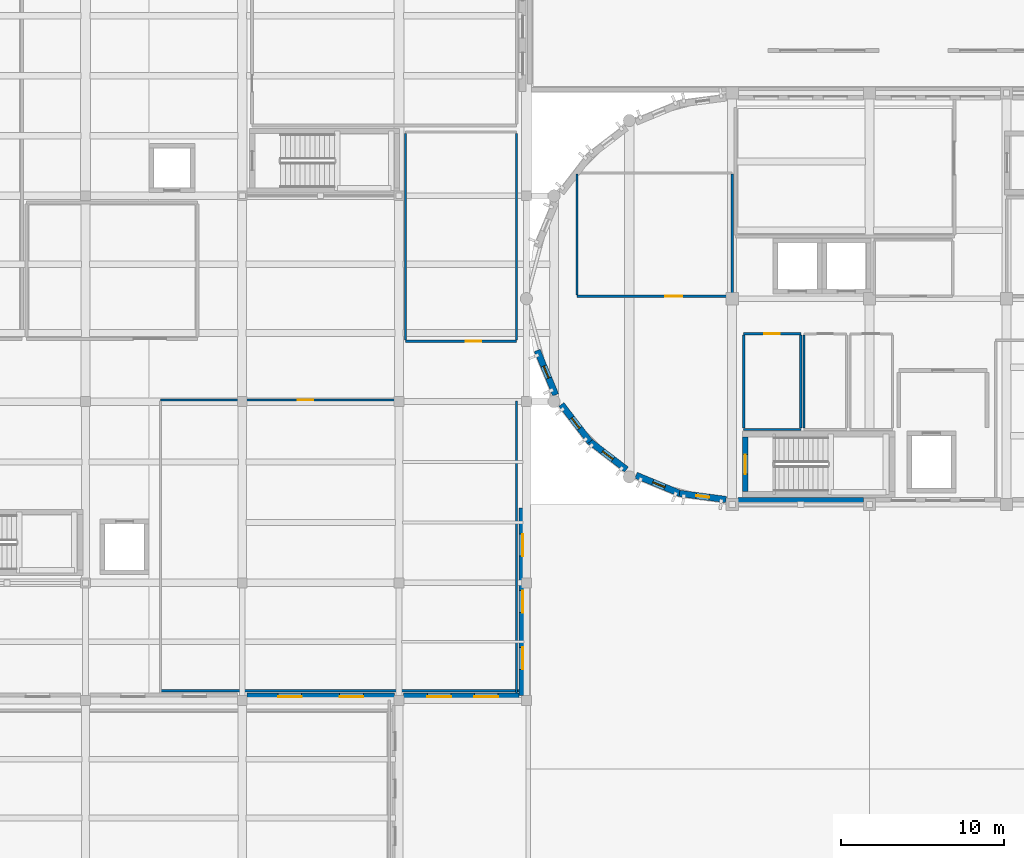
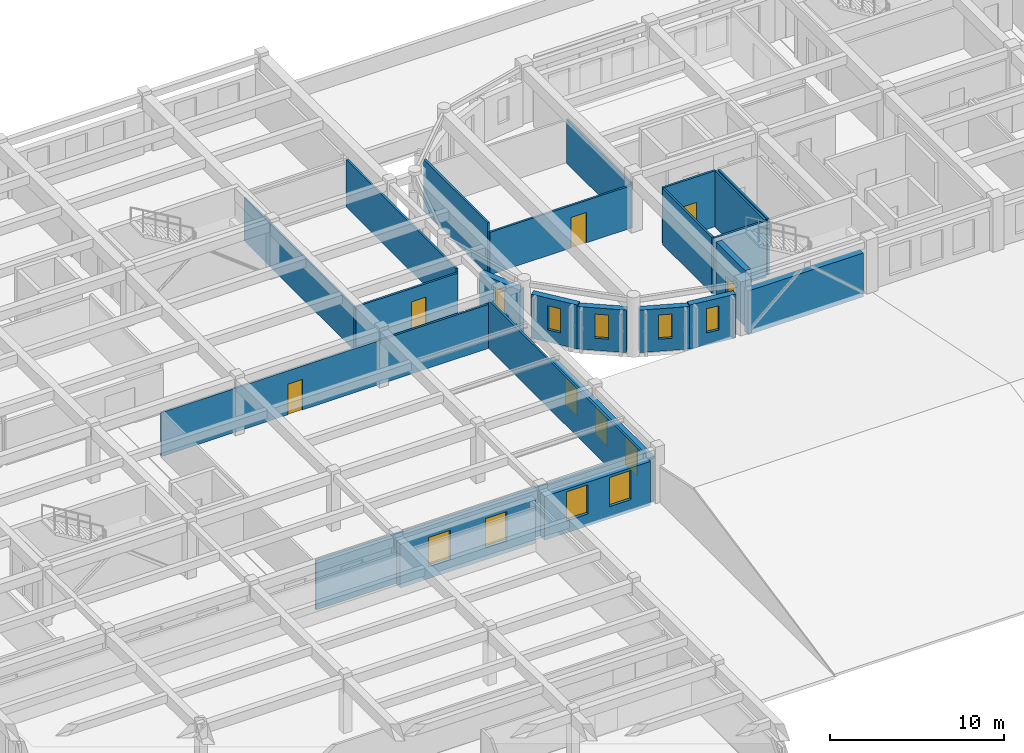
# One storey, part 19 of 46: 24 walls, 12 windows, 5 doors, 17 openings.
"""IFC4 building model written with IfcOpenShell, lengths in metres."""

from ifc_helpers import new_model, si_unit, direction, frame, frame_2d, origin, place, context, subcontext, project, spatial, rectangle, extrude, material, layer, layer_set, type_object, element, fill, save


model = new_model("IFC4")

# Units and contexts
model_context = context("Model", 3, precision=1e-05, world=origin(), true_north=direction((0.0, 1.0)))
body_context = subcontext(model_context, "Body", "Model", "MODEL_VIEW")
ifc_project = project(units=[si_unit("LENGTHUNIT", "METRE"), si_unit("AREAUNIT", "SQUARE_METRE"), si_unit("VOLUMEUNIT", "CUBIC_METRE"), si_unit("PLANEANGLEUNIT", "RADIAN"), si_unit("MASSUNIT", "GRAM", prefix="KILO")], contexts=[model_context])

# Site, building, storey
site_placement = place(None, origin())
site = spatial("IfcSite", under=ifc_project, at=site_placement, CompositionType="ELEMENT")
building_placement = place(site_placement, origin())
building = spatial("IfcBuilding", under=site, at=building_placement, Name="Tarnavel Promenade Courthouse", CompositionType="ELEMENT")
storey_placement = place(building_placement, frame((0.0, 0.0, 14.39990234375)))
storey = spatial("IfcBuildingStorey", under=building, at=storey_placement, Name="L04", CompositionType="ELEMENT", Elevation=14.39990234375)

# Wall, opening, door
ifc_material_1 = material(Name="Concrete C40/50", Category="concrete")
ifc_layer_1 = layer(ifc_material_1, 0.360107421875)
ifc_layer_set_1 = layer_set([ifc_layer_1], Name="Concrete C40/50")
wall_type_1 = type_object("IfcWallType", Name="Concrete C40/50 WL-SHR-360 (360 mm)", PredefinedType="SHEAR", material=ifc_layer_set_1)
wall_1_placement = place(storey_placement, frame((59.60009765625, 79.97998046875, 0.0), z_axis=(0.0, 0.0, 1.0), x_axis=(0.0, 1.0, 0.0)))
wall_1 = element("IfcWall", 1, at=wall_1_placement, inside=storey, type_object=wall_type_1, Name="L04 ST-01 Shear Core West Landing Wall", PredefinedType="SHEAR", context=body_context, shape_type="SweptSolid", body=[
    extrude(rectangle(XDim=3.360107421875, YDim=0.360107421875, at=frame_2d((1.68017578125, 0.0))), origin(), (0.0, 0.0, 1.0), 3.960205078125),
])
opening_1_placement = place(wall_1_placement, frame((1.080078125, 0.0, 0.0)))
opening_1 = element("IfcOpeningElement", 2, at=opening_1_placement, cuts=wall_1, Name="Opening FD-02", PredefinedType="OPENING", context=body_context, shape_type="SweptSolid", body=[
    extrude(rectangle(XDim=1.199951171875, YDim=2.199951171875, at=frame_2d((0.60009765625, 1.10009765625))), frame((0.0, 0.18994140625, 0.0), z_axis=(0.0, -1.0, 0.0), x_axis=(1.0, 0.0, 0.0)), (0.0, 0.0, 1.0), 0.380126953125),
])
ifc_material_2 = material(Name="Steel Fire-Rated Firefighting Stair Door", Category="steel")
door_type_1 = type_object("IfcDoorType", Name="Steel Fire-Rated Firefighting Stair Door (DR-ST-1200x2200)", OperationType="NOTDEFINED", PredefinedType="DOOR", material=ifc_material_2)
door_1_placement = place(opening_1_placement, origin())
door_1 = element("IfcDoor", 3, at=door_1_placement, inside=storey, type_object=door_type_1, Name="L04 ST-01 Protected Exit Stair Door", OperationType="SINGLE_SWING_RIGHT", OverallHeight=2.199951171875, OverallWidth=1.199951171875, PredefinedType="DOOR", context=body_context, shape_type="SweptSolid", body=[
    extrude(rectangle(XDim=1.199951171875, YDim=2.199951171875, at=frame_2d((0.60009765625, 1.10009765625))), frame((0.0, 0.02490234375, 0.0), z_axis=(0.0, -1.0, 0.0), x_axis=(1.0, 0.0, 0.0)), (0.0, 0.0, 1.0), 0.050048828125),
])
fill(opening_1, door_1)

# Wall
ifc_material_3 = material(Name="Cream Brick Insulated Cavity Facade Assembly", Category="masonry")
ifc_layer_2 = layer(ifc_material_3, 0.409912109375)
ifc_layer_set_2 = layer_set([ifc_layer_2], Name="Cream Brick Insulated Cavity Facade Assembly")
wall_type_2 = type_object("IfcWallType", Name="Cream Brick Insulated Cavity Facade Assembly WL-EXT-410 (410 mm)", PredefinedType="STANDARD", material=ifc_layer_set_2)
wall_2_placement = place(storey_placement, frame((66.8330078125, 79.419921875, 0.0), z_axis=(0.0, 0.0, 1.0), x_axis=(-1.0, 0.0, 0.0)))
element("IfcWall", 4, at=wall_2_placement, inside=storey, type_object=wall_type_2, Name="L04 Bar South Limestone Facade 0079", PredefinedType="STANDARD", context=body_context, shape_type="SweptSolid", body=[
    extrude(rectangle(XDim=7.6708984375, YDim=0.409912109375, at=frame_2d((3.83544921875, 0.0))), origin(), (0.0, 0.0, 1.0), 3.090087890625),
])

# Wall, openings, windows
ifc_material_4 = material(Name="Limestone Ashlar Faced Insulated Brick Masonry", Category="masonry")
ifc_layer_3 = layer(ifc_material_4, 0.43994140625)
ifc_layer_set_3 = layer_set([ifc_layer_3], Name="Limestone Ashlar Faced Insulated Brick Masonry")
wall_type_3 = type_object("IfcWallType", Name="Limestone Ashlar Faced Insulated Brick Masonry WL-EXT-440 (440 mm)", PredefinedType="STANDARD", material=ifc_layer_set_3)
wall_3_placement = place(storey_placement, frame((38.10791015625, 67.43994140625, 0.0), z_axis=(0.0, 0.0, 1.0), x_axis=(-1.0, 0.0, 0.0)))
wall_3 = element("IfcWall", 5, at=wall_3_placement, inside=storey, type_object=wall_type_3, Name="L04 Trial Wing Upper South Facade 0311", PredefinedType="STANDARD", context=body_context, shape_type="SweptSolid", body=[
    extrude(rectangle(XDim=9.015869140625, YDim=0.43994140625, at=frame_2d((4.5078125, 0.0))), origin(), (0.0, 0.0, 1.0), 3.080078125),
])
opening_2_placement = place(wall_3_placement, frame((1.89794921875, 0.0, 0.85009765625)))
opening_2 = element("IfcOpeningElement", 6, at=opening_2_placement, cuts=wall_3, Name="Opening W-03", PredefinedType="OPENING", context=body_context, shape_type="SweptSolid", body=[
    extrude(rectangle(XDim=1.449951171875, YDim=2.050048828125, at=frame_2d((0.72509765625, 1.02490234375))), frame((0.0, 0.22998046875, 0.0), z_axis=(0.0, -1.0, 0.0), x_axis=(1.0, 0.0, 0.0)), (0.0, 0.0, 1.0), 0.4599609375),
])
opening_3_placement = place(wall_3_placement, frame((5.66796875, 0.0, 0.85009765625)))
opening_3 = element("IfcOpeningElement", 7, at=opening_3_placement, cuts=wall_3, Name="Opening W-03", PredefinedType="OPENING", context=body_context, shape_type="SweptSolid", body=[
    extrude(rectangle(XDim=1.449951171875, YDim=2.050048828125, at=frame_2d((0.72509765625, 1.02490234375))), frame((0.0, 0.22998046875, 0.0), z_axis=(0.0, -1.0, 0.0), x_axis=(1.0, 0.0, 0.0)), (0.0, 0.0, 1.0), 0.4599609375),
])
ifc_material_5 = material(Name="Triple Low-E Glazed Bronze-Clad Window Assembly")
window_type_1 = type_object("IfcWindowType", Name="Triple-Glazed Bronze-Clad Timber-Aluminium WIN-APP-1450x2050", PartitioningType="SINGLE_PANEL", PredefinedType="WINDOW", material=ifc_material_5)
window_1_placement = place(opening_2_placement, origin())
window_1 = element("IfcWindow", 8, at=window_1_placement, inside=storey, type_object=window_type_1, Name="L04 Exterior Window 0326", OverallHeight=2.050048828125, OverallWidth=1.449951171875, PartitioningType="SINGLE_PANEL", PredefinedType="WINDOW", context=body_context, shape_type="SweptSolid", body=[
    extrude(rectangle(XDim=1.449951171875, YDim=2.050048828125, at=frame_2d((0.72509765625, 1.02490234375))), frame((0.0, 0.030029296875, 0.0), z_axis=(0.0, -1.0, 0.0), x_axis=(1.0, 0.0, 0.0)), (0.0, 0.0, 1.0), 0.06005859375),
])
fill(opening_2, window_1)
window_2_placement = place(opening_3_placement, origin())
window_2 = element("IfcWindow", 9, at=window_2_placement, inside=storey, type_object=window_type_1, Name="L04 Exterior Window 0327", OverallHeight=2.050048828125, OverallWidth=1.449951171875, PartitioningType="SINGLE_PANEL", PredefinedType="WINDOW", context=body_context, shape_type="SweptSolid", body=[
    extrude(rectangle(XDim=1.449951171875, YDim=2.050048828125, at=frame_2d((0.72509765625, 1.02490234375))), frame((0.0, 0.030029296875, 0.0), z_axis=(0.0, -1.0, 0.0), x_axis=(1.0, 0.0, 0.0)), (0.0, 0.0, 1.0), 0.06005859375),
])
fill(opening_3, window_2)

wall_4_placement = place(storey_placement, frame((45.748046875, 67.43994140625, 0.0), z_axis=(0.0, 0.0, 1.0), x_axis=(-1.0, 0.0, 0.0)))
wall_4 = element("IfcWall", 10, at=wall_4_placement, inside=storey, type_object=wall_type_3, Name="L04 Trial Wing Upper South Facade 0312", PredefinedType="STANDARD", context=body_context, shape_type="SweptSolid", body=[
    extrude(rectangle(XDim=7.06103515625, YDim=0.43994140625, at=frame_2d((3.530517578125, 0.0))), origin(), (0.0, 0.0, 1.0), 3.080078125),
])
opening_4_placement = place(wall_4_placement, frame((1.2880859375, 0.0, 0.85009765625)))
opening_4 = element("IfcOpeningElement", 11, at=opening_4_placement, cuts=wall_4, Name="Opening W-03", PredefinedType="OPENING", context=body_context, shape_type="SweptSolid", body=[
    extrude(rectangle(XDim=1.449951171875, YDim=2.050048828125, at=frame_2d((0.72509765625, 1.02490234375))), frame((0.0, 0.22998046875, 0.0), z_axis=(0.0, -1.0, 0.0), x_axis=(1.0, 0.0, 0.0)), (0.0, 0.0, 1.0), 0.4599609375),
])
opening_5_placement = place(wall_4_placement, frame((4.157958984375, 0.0, 0.85009765625)))
opening_5 = element("IfcOpeningElement", 12, at=opening_5_placement, cuts=wall_4, Name="Opening W-03", PredefinedType="OPENING", context=body_context, shape_type="SweptSolid", body=[
    extrude(rectangle(XDim=1.449951171875, YDim=2.050048828125, at=frame_2d((0.72509765625, 1.02490234375))), frame((0.0, 0.22998046875, 0.0), z_axis=(0.0, -1.0, 0.0), x_axis=(1.0, 0.0, 0.0)), (0.0, 0.0, 1.0), 0.4599609375),
])
window_3_placement = place(opening_4_placement, origin())
window_3 = element("IfcWindow", 13, at=window_3_placement, inside=storey, type_object=window_type_1, Name="L04 Exterior Window 0328", OverallHeight=2.050048828125, OverallWidth=1.449951171875, PartitioningType="SINGLE_PANEL", PredefinedType="WINDOW", context=body_context, shape_type="SweptSolid", body=[
    extrude(rectangle(XDim=1.449951171875, YDim=2.050048828125, at=frame_2d((0.72509765625, 1.02490234375))), frame((0.0, 0.030029296875, 0.0), z_axis=(0.0, -1.0, 0.0), x_axis=(1.0, 0.0, 0.0)), (0.0, 0.0, 1.0), 0.06005859375),
])
fill(opening_4, window_3)
window_4_placement = place(opening_5_placement, origin())
window_4 = element("IfcWindow", 14, at=window_4_placement, inside=storey, type_object=window_type_1, Name="L04 Exterior Window 0329", OverallHeight=2.050048828125, OverallWidth=1.449951171875, PartitioningType="SINGLE_PANEL", PredefinedType="WINDOW", context=body_context, shape_type="SweptSolid", body=[
    extrude(rectangle(XDim=1.449951171875, YDim=2.050048828125, at=frame_2d((0.72509765625, 1.02490234375))), frame((0.0, 0.030029296875, 0.0), z_axis=(0.0, -1.0, 0.0), x_axis=(1.0, 0.0, 0.0)), (0.0, 0.0, 1.0), 0.06005859375),
])
fill(opening_5, window_4)

wall_5_placement = place(storey_placement, frame((45.9599609375, 67.5, 0.0), z_axis=(0.0, 0.0, 1.0), x_axis=(0.0, 1.0, 0.0)))
wall_5 = element("IfcWall", 15, at=wall_5_placement, inside=storey, type_object=wall_type_3, Name="L04 L04 Trial Wing South-East Stepback Wall 0445", PredefinedType="STANDARD", context=body_context, shape_type="SweptSolid", body=[
    extrude(rectangle(XDim=11.5, YDim=0.43994140625, at=frame_2d((5.75, 0.0))), origin(), (0.0, 0.0, 1.0), 3.14013671875),
])
opening_6_placement = place(wall_5_placement, frame((1.6083984375, 0.0, 0.85009765625)))
opening_6 = element("IfcOpeningElement", 16, at=opening_6_placement, cuts=wall_5, Name="Opening W-04", PredefinedType="OPENING", context=body_context, shape_type="SweptSolid", body=[
    extrude(rectangle(XDim=1.35009765625, YDim=1.949951171875, at=frame_2d((0.675048828125, 0.97509765625))), frame((0.0, 0.22998046875, 0.0), z_axis=(0.0, -1.0, 0.0), x_axis=(1.0, 0.0, 0.0)), (0.0, 0.0, 1.0), 0.4599609375),
])
opening_7_placement = place(wall_5_placement, frame((5.074951171875, 0.0, 0.85009765625)))
opening_7 = element("IfcOpeningElement", 17, at=opening_7_placement, cuts=wall_5, Name="Opening W-04", PredefinedType="OPENING", context=body_context, shape_type="SweptSolid", body=[
    extrude(rectangle(XDim=1.35009765625, YDim=1.949951171875, at=frame_2d((0.675048828125, 0.97509765625))), frame((0.0, 0.22998046875, 0.0), z_axis=(0.0, -1.0, 0.0), x_axis=(1.0, 0.0, 0.0)), (0.0, 0.0, 1.0), 0.4599609375),
])
opening_8_placement = place(wall_5_placement, frame((8.541748046875, 0.0, 0.85009765625)))
opening_8 = element("IfcOpeningElement", 18, at=opening_8_placement, cuts=wall_5, Name="Opening W-04", PredefinedType="OPENING", context=body_context, shape_type="SweptSolid", body=[
    extrude(rectangle(XDim=1.35009765625, YDim=1.949951171875, at=frame_2d((0.675048828125, 0.97509765625))), frame((0.0, 0.22998046875, 0.0), z_axis=(0.0, -1.0, 0.0), x_axis=(1.0, 0.0, 0.0)), (0.0, 0.0, 1.0), 0.4599609375),
])
window_type_2 = type_object("IfcWindowType", Name="Triple-Glazed Bronze-Clad Timber-Aluminium WIN-CHM-1350x1950", PartitioningType="SINGLE_PANEL", PredefinedType="WINDOW", material=ifc_material_5)
window_5_placement = place(opening_6_placement, origin())
window_5 = element("IfcWindow", 19, at=window_5_placement, inside=storey, type_object=window_type_2, Name="L04 Exterior Window 0563", OverallHeight=1.949951171875, OverallWidth=1.35009765625, PartitioningType="SINGLE_PANEL", PredefinedType="WINDOW", context=body_context, shape_type="SweptSolid", body=[
    extrude(rectangle(XDim=1.35009765625, YDim=1.949951171875, at=frame_2d((0.675048828125, 0.97509765625))), frame((0.0, 0.030029296875, 0.0), z_axis=(0.0, -1.0, 0.0), x_axis=(1.0, 0.0, 0.0)), (0.0, 0.0, 1.0), 0.06005859375),
])
fill(opening_6, window_5)
window_6_placement = place(opening_7_placement, origin())
window_6 = element("IfcWindow", 20, at=window_6_placement, inside=storey, type_object=window_type_2, Name="L04 Exterior Window 0564", OverallHeight=1.949951171875, OverallWidth=1.35009765625, PartitioningType="SINGLE_PANEL", PredefinedType="WINDOW", context=body_context, shape_type="SweptSolid", body=[
    extrude(rectangle(XDim=1.35009765625, YDim=1.949951171875, at=frame_2d((0.675048828125, 0.97509765625))), frame((0.0, 0.030029296875, 0.0), z_axis=(0.0, -1.0, 0.0), x_axis=(1.0, 0.0, 0.0)), (0.0, 0.0, 1.0), 0.06005859375),
])
fill(opening_7, window_6)
window_7_placement = place(opening_8_placement, origin())
window_7 = element("IfcWindow", 21, at=window_7_placement, inside=storey, type_object=window_type_2, Name="L04 Exterior Window 0565", OverallHeight=1.949951171875, OverallWidth=1.35009765625, PartitioningType="SINGLE_PANEL", PredefinedType="WINDOW", context=body_context, shape_type="SweptSolid", body=[
    extrude(rectangle(XDim=1.35009765625, YDim=1.949951171875, at=frame_2d((0.675048828125, 0.97509765625))), frame((0.0, 0.030029296875, 0.0), z_axis=(0.0, -1.0, 0.0), x_axis=(1.0, 0.0, 0.0)), (0.0, 0.0, 1.0), 0.06005859375),
])
fill(opening_8, window_7)

# Wall, opening, door
ifc_material_6 = material(Name="Metal-Stud Acoustic Gypsum Partition", Category="gypsum")
ifc_layer_4 = layer(ifc_material_6, 0.135009765625)
ifc_layer_set_4 = layer_set([ifc_layer_4], Name="Metal-Stud Acoustic Gypsum Partition")
wall_type_4 = type_object("IfcWallType", Name="Metal-Stud Acoustic Gypsum Partition WL-OFF-135 (135 mm)", PredefinedType="PARTITIONING", material=ifc_layer_set_4)
wall_6_placement = place(storey_placement, frame((59.5, 89.64990234375, 0.0), z_axis=(0.0, 0.0, 1.0), x_axis=(1.0, 0.0, 0.0)))
wall_6 = element("IfcWall", 22, at=wall_6_placement, inside=storey, type_object=wall_type_4, Name="L04 L04 Bailiffs' Duty Room Partition 0578", PredefinedType="PARTITIONING", context=body_context, shape_type="SweptSolid", body=[
    extrude(rectangle(XDim=3.5, YDim=0.135009765625, at=frame_2d((1.75, 0.0))), origin(), (0.0, 0.0, 1.0), 3.945068359375),
])
opening_9_placement = place(wall_6_placement, frame((1.27490234375, 0.0, 0.0)))
opening_9 = element("IfcOpeningElement", 23, at=opening_9_placement, cuts=wall_6, Name="Opening ID-06", PredefinedType="OPENING", context=body_context, shape_type="SweptSolid", body=[
    extrude(rectangle(XDim=0.949951171875, YDim=2.14990234375, at=frame_2d((0.47509765625, 1.074951171875))), frame((0.0, 0.077392578125, 0.0), z_axis=(0.0, -1.0, 0.0), x_axis=(1.0, 0.0, 0.0)), (0.0, 0.0, 1.0), 0.155029296875),
])
ifc_material_7 = material(Name="Acoustic Timber Veneer Office Door", Category="wood")
door_type_2 = type_object("IfcDoorType", Name="Acoustic Timber Veneer Office Door (DR-OFF-0950x2150)", OperationType="NOTDEFINED", PredefinedType="DOOR", material=ifc_material_7)
door_2_placement = place(opening_9_placement, origin())
door_2 = element("IfcDoor", 24, at=door_2_placement, inside=storey, type_object=door_type_2, Name="L04 L04 Bailiffs' Duty Room Door 0165", OperationType="SINGLE_SWING_RIGHT", OverallHeight=2.14990234375, OverallWidth=0.949951171875, PredefinedType="DOOR", context=body_context, shape_type="SweptSolid", body=[
    extrude(rectangle(XDim=0.949951171875, YDim=2.14990234375, at=frame_2d((0.47509765625, 1.074951171875))), frame((0.0, 0.02490234375, 0.0), z_axis=(0.0, -1.0, 0.0), x_axis=(1.0, 0.0, 0.0)), (0.0, 0.0, 1.0), 0.050048828125),
])
fill(opening_9, door_2)

# Walls
wall_7_placement = place(storey_placement, frame((63.0, 83.800048828125, 0.0), z_axis=(0.0, 0.0, 1.0), x_axis=(-1.0, 0.0, 0.0)))
element("IfcWall", 25, at=wall_7_placement, inside=storey, type_object=wall_type_4, Name="L04 L04 Bailiffs' Duty Room Partition 0579", PredefinedType="PARTITIONING", context=body_context, shape_type="SweptSolid", body=[
    extrude(rectangle(XDim=3.5, YDim=0.135009765625, at=frame_2d((1.75, 0.0))), origin(), (0.0, 0.0, 1.0), 3.945068359375),
])
for number, where, z_axis, x_axis, name in (
    (26, (59.5, 83.87744140625, 0.0), (0.0, 0.0, 1.0), (0.0, 1.0, 0.0), "L04 L04 Bailiffs' Duty Room Partition 0580"),
    (27, (63.0, 89.572509765625, 0.0), (0.0, 0.0, 1.0), (0.0, -1.0, 0.0), "L04 L04 Bailiffs' Duty Room Partition 0581"),
):
    element("IfcWall", number, at=place(storey_placement, frame(where, z_axis=z_axis, x_axis=x_axis)), inside=storey, type_object=wall_type_4, Name=name, PredefinedType="PARTITIONING", context=body_context, shape_type="SweptSolid", body=[
        extrude(rectangle(XDim=5.695068359375, YDim=0.135009765625, at=frame_2d((2.84765625, 0.0))), origin(), (0.0, 0.0, 1.0), 3.945068359375),
    ])

# Wall, opening, door
wall_8_placement = place(storey_placement, frame((45.60009765625, 89.199951171875, 0.0), z_axis=(0.0, 0.0, 1.0), x_axis=(-1.0, 0.0, 0.0)))
wall_8 = element("IfcWall", 28, at=wall_8_placement, inside=storey, type_object=wall_type_4, Name="L04 L04 Witness Waiting Room Partition 0596", PredefinedType="PARTITIONING", context=body_context, shape_type="SweptSolid", body=[
    extrude(rectangle(XDim=6.800048828125, YDim=0.135009765625, at=frame_2d((3.39990234375, 0.0))), origin(), (0.0, 0.0, 1.0), 3.090087890625),
])
opening_10_placement = place(wall_8_placement, frame((2.152587890625, 0.0, 0.0)))
opening_10 = element("IfcOpeningElement", 29, at=opening_10_placement, cuts=wall_8, Name="Opening ID-06", PredefinedType="OPENING", context=body_context, shape_type="SweptSolid", body=[
    extrude(rectangle(XDim=0.949951171875, YDim=2.14990234375, at=frame_2d((0.47509765625, 1.074951171875))), frame((0.0, 0.077392578125, 0.0), z_axis=(0.0, -1.0, 0.0), x_axis=(1.0, 0.0, 0.0)), (0.0, 0.0, 1.0), 0.155029296875),
])
door_3_placement = place(opening_10_placement, origin())
door_3 = element("IfcDoor", 30, at=door_3_placement, inside=storey, type_object=door_type_2, Name="L04 L04 Witness Waiting Room Door 0170", OperationType="SINGLE_SWING_LEFT", OverallHeight=2.14990234375, OverallWidth=0.949951171875, PredefinedType="DOOR", context=body_context, shape_type="SweptSolid", body=[
    extrude(rectangle(XDim=0.949951171875, YDim=2.14990234375, at=frame_2d((0.47509765625, 1.074951171875))), frame((0.0, 0.02490234375, 0.0), z_axis=(0.0, -1.0, 0.0), x_axis=(1.0, 0.0, 0.0)), (0.0, 0.0, 1.0), 0.050048828125),
])
fill(opening_10, door_3)

# Walls
wall_9_placement = place(storey_placement, frame((38.800048828125, 89.277587890625, 0.0), z_axis=(0.0, 0.0, 1.0), x_axis=(0.0, 1.0, 0.0)))
element("IfcWall", 31, at=wall_9_placement, inside=storey, type_object=wall_type_4, Name="L04 L04 Witness Waiting Room Partition 0597", PredefinedType="PARTITIONING", context=body_context, shape_type="SweptSolid", body=[
    extrude(rectangle(XDim=12.64501953125, YDim=0.135009765625, at=frame_2d((6.322509765625, 0.0))), origin(), (0.0, 0.0, 1.0), 3.0400390625),
])
wall_10_placement = place(storey_placement, frame((45.60009765625, 101.922607421875, 0.0), z_axis=(0.0, 0.0, 1.0), x_axis=(0.0, -1.0, 0.0)))
element("IfcWall", 32, at=wall_10_placement, inside=storey, type_object=wall_type_4, Name="L04 L04 Witness Waiting Room Partition 0598", PredefinedType="PARTITIONING", context=body_context, shape_type="SweptSolid", body=[
    extrude(rectangle(XDim=12.64501953125, YDim=0.135009765625, at=frame_2d((6.322509765625, 0.0))), origin(), (0.0, 0.0, 1.0), 3.340087890625),
])

# Wall, opening, door
wall_11_placement = place(storey_placement, frame((23.800048828125, 85.60009765625, 0.0), z_axis=(0.0, 0.0, 1.0), x_axis=(1.0, 0.0, 0.0)))
wall_11 = element("IfcWall", 33, at=wall_11_placement, inside=storey, type_object=wall_type_4, Name="L04 Probation Officers' Suite Partition 0602", PredefinedType="PARTITIONING", context=body_context, shape_type="SweptSolid", body=[
    extrude(rectangle(XDim=21.800048828125, YDim=0.135009765625, at=frame_2d((10.89990234375, 0.0))), origin(), (0.0, 0.0, 1.0), 3.090087890625),
])
opening_11_placement = place(wall_11_placement, frame((8.409912109375, 0.0, 0.0)))
opening_11 = element("IfcOpeningElement", 34, at=opening_11_placement, cuts=wall_11, Name="Opening ID-06", PredefinedType="OPENING", context=body_context, shape_type="SweptSolid", body=[
    extrude(rectangle(XDim=0.949951171875, YDim=2.14990234375, at=frame_2d((0.47509765625, 1.074951171875))), frame((0.0, 0.077392578125, 0.0), z_axis=(0.0, -1.0, 0.0), x_axis=(1.0, 0.0, 0.0)), (0.0, 0.0, 1.0), 0.155029296875),
])
door_4_placement = place(opening_11_placement, origin())
door_4 = element("IfcDoor", 35, at=door_4_placement, inside=storey, type_object=door_type_2, Name="L04 Probation Officers' Suite Door 0172", OperationType="SINGLE_SWING_RIGHT", OverallHeight=2.14990234375, OverallWidth=0.949951171875, PredefinedType="DOOR", context=body_context, shape_type="SweptSolid", body=[
    extrude(rectangle(XDim=0.949951171875, YDim=2.14990234375, at=frame_2d((0.47509765625, 1.074951171875))), frame((0.0, 0.02490234375, 0.0), z_axis=(0.0, -1.0, 0.0), x_axis=(1.0, 0.0, 0.0)), (0.0, 0.0, 1.0), 0.050048828125),
])
fill(opening_11, door_4)

# Walls
wall_12_placement = place(storey_placement, frame((45.74609375, 67.800048828125, 0.0), z_axis=(0.0, 0.0, 1.0), x_axis=(-1.0, 0.0, 0.0)))
element("IfcWall", 36, at=wall_12_placement, inside=storey, type_object=wall_type_4, Name="L04 Probation Officers' Suite Partition 0603", PredefinedType="PARTITIONING", context=body_context, shape_type="SweptSolid", body=[
    extrude(rectangle(XDim=21.946044921875, YDim=0.135009765625, at=frame_2d((10.97314453125, 0.0))), origin(), (0.0, 0.0, 1.0), 3.489990234375),
])
wall_13_placement = place(storey_placement, frame((45.60009765625, 85.5224609375, 0.0), z_axis=(0.0, 0.0, 1.0), x_axis=(0.0, -1.0, 0.0)))
element("IfcWall", 37, at=wall_13_placement, inside=storey, type_object=wall_type_4, Name="L04 Probation Officers' Suite Partition 0605", PredefinedType="PARTITIONING", context=body_context, shape_type="SweptSolid", body=[
    extrude(rectangle(XDim=17.868408203125, YDim=0.135009765625, at=frame_2d((8.93408203125, 0.0))), origin(), (0.0, 0.0, 1.0), 3.39013671875),
])

# Wall, opening, door
wall_14_placement = place(storey_placement, frame((58.800048828125, 91.949951171875, 0.0), z_axis=(0.0, 0.0, 1.0), x_axis=(-1.0, 0.0, 0.0)))
wall_14 = element("IfcWall", 38, at=wall_14_placement, inside=storey, type_object=wall_type_4, Name="L04 L04 West Drum Rotunda Meeting North Partition 0645", PredefinedType="PARTITIONING", context=body_context, shape_type="SweptSolid", body=[
    extrude(rectangle(XDim=9.5, YDim=0.135009765625, at=frame_2d((4.75, 0.0))), origin(), (0.0, 0.0, 1.0), 2.989990234375),
])
opening_12_placement = place(wall_14_placement, frame((3.072998046875, 0.0, 0.0)))
opening_12 = element("IfcOpeningElement", 39, at=opening_12_placement, cuts=wall_14, Name="Opening ID-07", PredefinedType="OPENING", context=body_context, shape_type="SweptSolid", body=[
    extrude(rectangle(XDim=1.02001953125, YDim=2.14990234375, at=frame_2d((0.510009765625, 1.074951171875))), frame((0.0, 0.077392578125, 0.0), z_axis=(0.0, -1.0, 0.0), x_axis=(1.0, 0.0, 0.0)), (0.0, 0.0, 1.0), 0.155029296875),
])
ifc_material_8 = material(Name="Acoustic Timber Seminar Room Door", Category="wood")
door_type_3 = type_object("IfcDoorType", Name="Acoustic Timber Seminar Room Door (DR-MTG-1020x2150)", OperationType="NOTDEFINED", PredefinedType="DOOR", material=ifc_material_8)
door_5_placement = place(opening_12_placement, origin())
door_5 = element("IfcDoor", 40, at=door_5_placement, inside=storey, type_object=door_type_3, Name="L04 L04 West Drum Rotunda Meeting North Door 0185", OperationType="SINGLE_SWING_LEFT", OverallHeight=2.14990234375, OverallWidth=1.02001953125, PredefinedType="DOOR", context=body_context, shape_type="SweptSolid", body=[
    extrude(rectangle(XDim=1.02001953125, YDim=2.14990234375, at=frame_2d((0.510009765625, 1.074951171875))), frame((0.0, 0.02490234375, 0.0), z_axis=(0.0, -1.0, 0.0), x_axis=(1.0, 0.0, 0.0)), (0.0, 0.0, 1.0), 0.050048828125),
])
fill(opening_12, door_5)

# Walls
wall_15_placement = place(storey_placement, frame((49.300048828125, 92.027587890625, 0.0), z_axis=(0.0, 0.0, 1.0), x_axis=(0.0, 1.0, 0.0)))
element("IfcWall", 41, at=wall_15_placement, inside=storey, type_object=wall_type_4, Name="L04 L04 West Drum Rotunda Meeting North Partition 0646", PredefinedType="PARTITIONING", context=body_context, shape_type="SweptSolid", body=[
    extrude(rectangle(XDim=7.39501953125, YDim=0.135009765625, at=frame_2d((3.697509765625, 0.0))), origin(), (0.0, 0.0, 1.0), 3.590087890625),
])
wall_16_placement = place(storey_placement, frame((58.800048828125, 99.422607421875, 0.0), z_axis=(0.0, 0.0, 1.0), x_axis=(0.0, -1.0, 0.0)))
element("IfcWall", 42, at=wall_16_placement, inside=storey, type_object=wall_type_4, Name="L04 L04 West Drum Rotunda Meeting North Partition 0647", PredefinedType="PARTITIONING", context=body_context, shape_type="SweptSolid", body=[
    extrude(rectangle(XDim=7.39501953125, YDim=0.135009765625, at=frame_2d((3.697509765625, 0.0))), origin(), (0.0, 0.0, 1.0), 3.090087890625),
])
ifc_material_9 = material(Name="Moisture-Resistant Tile-Backed Stud Partition", Category="gypsum")
ifc_layer_5 = layer(ifc_material_9, 0.125)
ifc_layer_set_5 = layer_set([ifc_layer_5], Name="Moisture-Resistant Tile-Backed Stud Partition")
wall_type_5 = type_object("IfcWallType", Name="Moisture-Resistant Tile-Backed Stud Partition WL-WET-125 (125 mm)", PredefinedType="PARTITIONING", material=ifc_layer_set_5)
wall_17_placement = place(storey_placement, frame((63.199951171875, 83.87255859375, 0.0), z_axis=(0.0, 0.0, 1.0), x_axis=(0.0, 1.0, 0.0)))
element("IfcWall", 43, at=wall_17_placement, inside=storey, type_object=wall_type_5, Name="L04 Public WC Partition 0564", PredefinedType="PARTITIONING", context=body_context, shape_type="SweptSolid", body=[
    extrude(rectangle(XDim=5.704833984375, YDim=0.125, at=frame_2d((2.8525390625, 0.0))), origin(), (0.0, 0.0, 1.0), 3.945068359375),
])

# Wall, opening, window
ifc_material_10 = material(Name="Patinated Copper-Bronze Insulated Drum Wall Assembly", Category="masonry")
ifc_layer_6 = layer(ifc_material_10, 0.39501953125)
ifc_layer_set_6 = layer_set([ifc_layer_6], Name="Patinated Copper-Bronze Insulated Drum Wall Assembly")
wall_type_6 = type_object("IfcWallType", Name="Patinated Copper-Bronze Insulated Drum Wall Assembly WL-DRUM-395 (395 mm)", PredefinedType="ELEMENTEDWALL", material=ifc_layer_set_6)
wall_18_placement = place(storey_placement, frame((46.8603515625, 88.634521484375, 0.0), z_axis=(0.0, 0.0, 1.0), x_axis=(0.382632249505, -0.923900731485, 0.0)))
wall_18 = element("IfcWall", 44, at=wall_18_placement, inside=storey, type_object=wall_type_6, Name="L04 W Copper Drum Chord Wall 08 0089", PredefinedType="ELEMENTEDWALL", context=body_context, shape_type="SweptSolid", body=[
    extrude(rectangle(XDim=2.947265625, YDim=0.39501953125, at=frame_2d((1.4736328125, 0.0))), origin(), (0.0, 0.0, 1.0), 3.090087890625),
])
opening_13_placement = place(wall_18_placement, frame((1.037109375, 0.0, 0.85009765625)))
opening_13 = element("IfcOpeningElement", 45, at=opening_13_placement, cuts=wall_18, Name="Opening W-09", PredefinedType="OPENING", context=body_context, shape_type="SweptSolid", body=[
    extrude(rectangle(XDim=0.800048828125, YDim=1.699951171875, at=frame_2d((0.39990234375, 0.85009765625))), frame((0.0, 0.20751953125, 0.0), z_axis=(0.0, -1.0, 0.0), x_axis=(1.0, 0.0, 0.0)), (0.0, 0.0, 1.0), 0.4150390625),
])
window_type_3 = type_object("IfcWindowType", Name="Triple-Glazed Bronze-Clad Timber-Aluminium WIN-DRM-0800x1700", PartitioningType="SINGLE_PANEL", PredefinedType="WINDOW", material=ifc_material_5)
window_8_placement = place(opening_13_placement, origin())
window_8 = element("IfcWindow", 46, at=window_8_placement, inside=storey, type_object=window_type_3, Name="L04 Exterior Window 0069", OverallHeight=1.699951171875, OverallWidth=0.800048828125, PartitioningType="SINGLE_PANEL", PredefinedType="WINDOW", context=body_context, shape_type="SweptSolid", body=[
    extrude(rectangle(XDim=0.800048828125, YDim=1.699951171875, at=frame_2d((0.39990234375, 0.85009765625))), frame((0.0, 0.030029296875, 0.0), z_axis=(0.0, -1.0, 0.0), x_axis=(1.0, 0.0, 0.0)), (0.0, 0.0, 1.0), 0.06005859375),
])
fill(opening_13, window_8)

wall_19_placement = place(storey_placement, frame((48.339111328125, 85.322998046875, 0.0), z_axis=(0.0, 0.0, 1.0), x_axis=(0.608729278603, -0.79337800913, 0.0)))
wall_19 = element("IfcWall", 47, at=wall_19_placement, inside=storey, type_object=wall_type_6, Name="L04 W Copper Drum Chord Wall 09 0090", PredefinedType="ELEMENTEDWALL", context=body_context, shape_type="SweptSolid", body=[
    extrude(rectangle(XDim=2.87451171875, YDim=0.39501953125, at=frame_2d((1.437255859375, 0.0))), origin(), (0.0, 0.0, 1.0), 3.090087890625),
])
opening_14_placement = place(wall_19_placement, frame((1.037109375, 0.0, 0.85009765625)))
opening_14 = element("IfcOpeningElement", 48, at=opening_14_placement, cuts=wall_19, Name="Opening W-09", PredefinedType="OPENING", context=body_context, shape_type="SweptSolid", body=[
    extrude(rectangle(XDim=0.800048828125, YDim=1.699951171875, at=frame_2d((0.39990234375, 0.85009765625))), frame((0.0, 0.20751953125, 0.0), z_axis=(0.0, -1.0, 0.0), x_axis=(1.0, 0.0, 0.0)), (0.0, 0.0, 1.0), 0.4150390625),
])
window_9_placement = place(opening_14_placement, origin())
window_9 = element("IfcWindow", 49, at=window_9_placement, inside=storey, type_object=window_type_3, Name="L04 Exterior Window 0070", OverallHeight=1.699951171875, OverallWidth=0.800048828125, PartitioningType="SINGLE_PANEL", PredefinedType="WINDOW", context=body_context, shape_type="SweptSolid", body=[
    extrude(rectangle(XDim=0.800048828125, YDim=1.699951171875, at=frame_2d((0.39990234375, 0.85009765625))), frame((0.0, 0.030029296875, 0.0), z_axis=(0.0, -1.0, 0.0), x_axis=(1.0, 0.0, 0.0)), (0.0, 0.0, 1.0), 0.06005859375),
])
fill(opening_14, window_9)

wall_20_placement = place(storey_placement, frame((50.042724609375, 83.0888671875, 0.0), z_axis=(0.0, 0.0, 1.0), x_axis=(0.793346533164, -0.608770300127, 0.0)))
wall_20 = element("IfcWall", 50, at=wall_20_placement, inside=storey, type_object=wall_type_6, Name="L04 W Copper Drum Chord Wall 10 0091", PredefinedType="ELEMENTEDWALL", context=body_context, shape_type="SweptSolid", body=[
    extrude(rectangle(XDim=2.874267578125, YDim=0.39501953125, at=frame_2d((1.43701171875, 0.0))), origin(), (0.0, 0.0, 1.0), 2.989990234375),
])
opening_15_placement = place(wall_20_placement, frame((1.037109375, 0.0, 0.85009765625)))
opening_15 = element("IfcOpeningElement", 51, at=opening_15_placement, cuts=wall_20, Name="Opening W-09", PredefinedType="OPENING", context=body_context, shape_type="SweptSolid", body=[
    extrude(rectangle(XDim=0.800048828125, YDim=1.699951171875, at=frame_2d((0.39990234375, 0.85009765625))), frame((0.0, 0.20751953125, 0.0), z_axis=(0.0, -1.0, 0.0), x_axis=(1.0, 0.0, 0.0)), (0.0, 0.0, 1.0), 0.4150390625),
])
window_10_placement = place(opening_15_placement, origin())
window_10 = element("IfcWindow", 52, at=window_10_placement, inside=storey, type_object=window_type_3, Name="L04 Exterior Window 0071", OverallHeight=1.699951171875, OverallWidth=0.800048828125, PartitioningType="SINGLE_PANEL", PredefinedType="WINDOW", context=body_context, shape_type="SweptSolid", body=[
    extrude(rectangle(XDim=0.800048828125, YDim=1.699951171875, at=frame_2d((0.39990234375, 0.85009765625))), frame((0.0, 0.030029296875, 0.0), z_axis=(0.0, -1.0, 0.0), x_axis=(1.0, 0.0, 0.0)), (0.0, 0.0, 1.0), 0.06005859375),
])
fill(opening_15, window_10)

wall_21_placement = place(storey_placement, frame((52.91162109375, 80.988037109375, 0.0), z_axis=(0.0, 0.0, 1.0), x_axis=(0.923900731485, -0.382632249505, 0.0)))
wall_21 = element("IfcWall", 53, at=wall_21_placement, inside=storey, type_object=wall_type_6, Name="L04 W Copper Drum Chord Wall 11 0092", PredefinedType="ELEMENTEDWALL", context=body_context, shape_type="SweptSolid", body=[
    extrude(rectangle(XDim=2.947265625, YDim=0.39501953125, at=frame_2d((1.4736328125, 0.0))), origin(), (0.0, 0.0, 1.0), 2.989990234375),
])
opening_16_placement = place(wall_21_placement, frame((1.110107421875, 0.0, 0.85009765625)))
opening_16 = element("IfcOpeningElement", 54, at=opening_16_placement, cuts=wall_21, Name="Opening W-09", PredefinedType="OPENING", context=body_context, shape_type="SweptSolid", body=[
    extrude(rectangle(XDim=0.800048828125, YDim=1.699951171875, at=frame_2d((0.39990234375, 0.85009765625))), frame((0.0, 0.20751953125, 0.0), z_axis=(0.0, -1.0, 0.0), x_axis=(1.0, 0.0, 0.0)), (0.0, 0.0, 1.0), 0.4150390625),
])
window_11_placement = place(opening_16_placement, origin())
window_11 = element("IfcWindow", 55, at=window_11_placement, inside=storey, type_object=window_type_3, Name="L04 Exterior Window 0072", OverallHeight=1.699951171875, OverallWidth=0.800048828125, PartitioningType="SINGLE_PANEL", PredefinedType="WINDOW", context=body_context, shape_type="SweptSolid", body=[
    extrude(rectangle(XDim=0.800048828125, YDim=1.699951171875, at=frame_2d((0.39990234375, 0.85009765625))), frame((0.0, 0.030029296875, 0.0), z_axis=(0.0, -1.0, 0.0), x_axis=(1.0, 0.0, 0.0)), (0.0, 0.0, 1.0), 0.06005859375),
])
fill(opening_16, window_11)

wall_22_placement = place(storey_placement, frame((55.571533203125, 79.877197265625, 0.0), z_axis=(0.0, 0.0, 1.0), x_axis=(0.991440991126, -0.130555586306, 0.0)))
wall_22 = element("IfcWall", 56, at=wall_22_placement, inside=storey, type_object=wall_type_6, Name="L04 W Copper Drum Chord Wall 12 0093", PredefinedType="ELEMENTEDWALL", context=body_context, shape_type="SweptSolid", body=[
    extrude(rectangle(XDim=2.874267578125, YDim=0.39501953125, at=frame_2d((1.43701171875, 0.0))), origin(), (0.0, 0.0, 1.0), 3.090087890625),
])
opening_17_placement = place(wall_22_placement, frame((1.037109375, 0.0, 0.85009765625)))
opening_17 = element("IfcOpeningElement", 57, at=opening_17_placement, cuts=wall_22, Name="Opening W-09", PredefinedType="OPENING", context=body_context, shape_type="SweptSolid", body=[
    extrude(rectangle(XDim=0.800048828125, YDim=1.699951171875, at=frame_2d((0.39990234375, 0.85009765625))), frame((0.0, 0.20751953125, 0.0), z_axis=(0.0, -1.0, 0.0), x_axis=(1.0, 0.0, 0.0)), (0.0, 0.0, 1.0), 0.4150390625),
])
window_12_placement = place(opening_17_placement, origin())
window_12 = element("IfcWindow", 58, at=window_12_placement, inside=storey, type_object=window_type_3, Name="L04 Exterior Window 0073", OverallHeight=1.699951171875, OverallWidth=0.800048828125, PartitioningType="SINGLE_PANEL", PredefinedType="WINDOW", context=body_context, shape_type="SweptSolid", body=[
    extrude(rectangle(XDim=0.800048828125, YDim=1.699951171875, at=frame_2d((0.39990234375, 0.85009765625))), frame((0.0, 0.030029296875, 0.0), z_axis=(0.0, -1.0, 0.0), x_axis=(1.0, 0.0, 0.0)), (0.0, 0.0, 1.0), 0.06005859375),
])
fill(opening_17, window_12)

save(model, "model.ifc")
